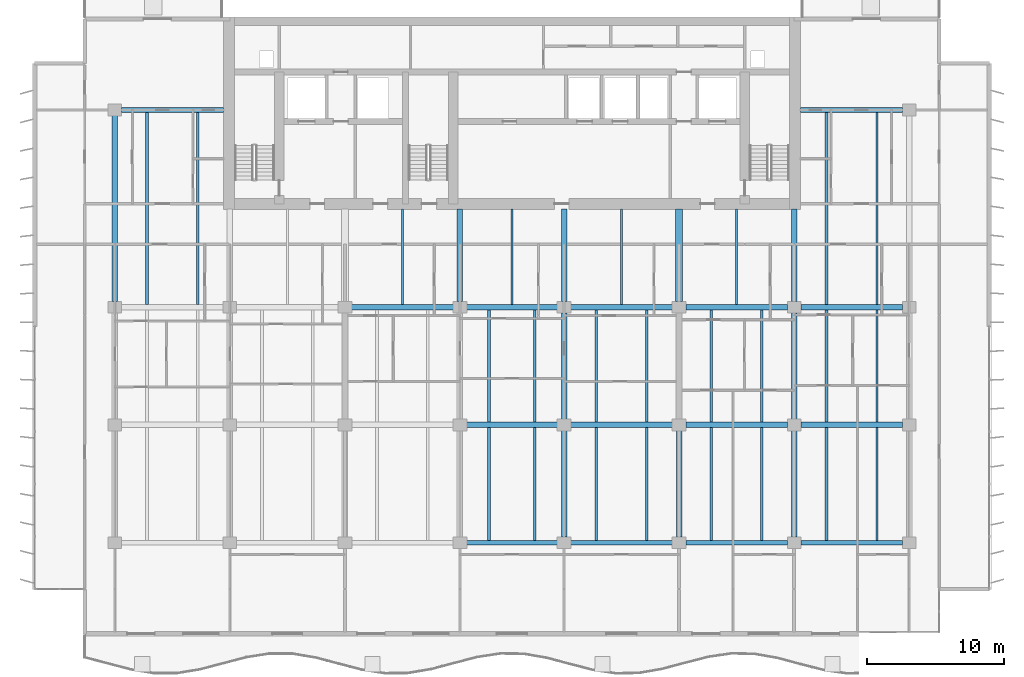
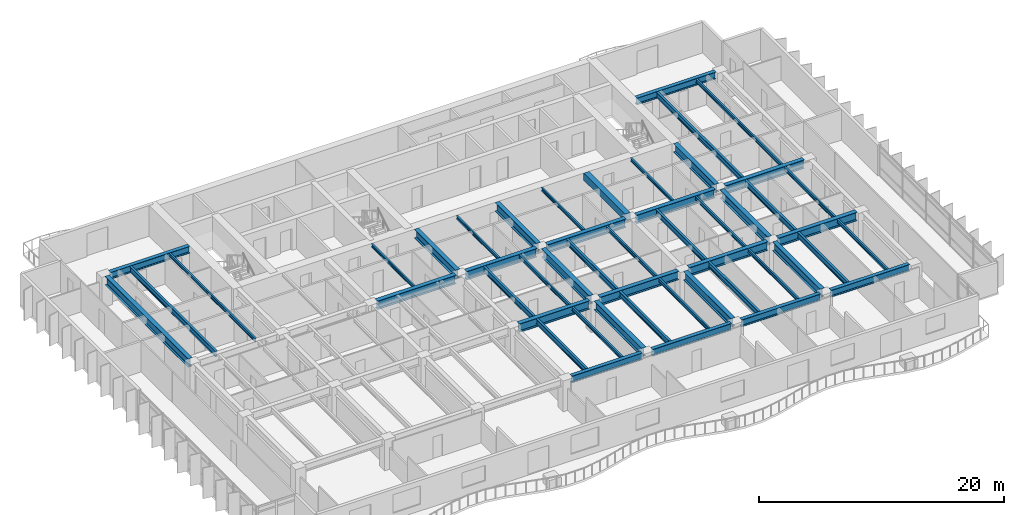
# One storey, part 3 of 15: 49 beams.
"""IFC4 building model written with IfcOpenShell, lengths in metres."""

from ifc_helpers import new_model, si_unit, direction, frame, origin, origin_2d, place, context, subcontext, project, spatial, rectangle, i_section, extrude, material, material_profile, profile_set, type_object, element, save


model = new_model("IFC4")

# Units and contexts
model_context = context("Model", 3, precision=1e-05, world=origin(), true_north=direction((0.0, 1.0)))
body_context = subcontext(model_context, "Body", "Model", "MODEL_VIEW")
ifc_project = project(units=[si_unit("LENGTHUNIT", "METRE"), si_unit("AREAUNIT", "SQUARE_METRE"), si_unit("VOLUMEUNIT", "CUBIC_METRE"), si_unit("PLANEANGLEUNIT", "RADIAN"), si_unit("MASSUNIT", "GRAM", prefix="KILO")], contexts=[model_context])

# Site, building, storey
site_placement = place(None, origin())
site = spatial("IfcSite", under=ifc_project, at=site_placement, CompositionType="ELEMENT")
building_placement = place(site_placement, origin())
building = spatial("IfcBuilding", under=site, at=building_placement, Name="Caelmar Bay Residences", CompositionType="ELEMENT")
storey_placement = place(building_placement, frame((0.0, 0.0, 138.89990234375)))
storey = spatial("IfcBuildingStorey", under=building, at=storey_placement, Name="L38", CompositionType="ELEMENT", Elevation=138.89990234375)

# Beams
ifc_material_1 = material(Name="Steel ASTM A992 Grade 50", Category="steel")
ifc_material_profile_1 = material_profile(ifc_material_1, i_section(OverallWidth=0.40087890625, OverallDepth=0.861083984375, WebThickness=0.019775390625, FlangeThickness=0.032470703125, FilletRadius=0.017822265625, at=origin_2d()), Name="W33X221")
ifc_profile_set_1 = profile_set([ifc_material_profile_1], Name="Steel ASTM A992 Grade 50")
beam_type_1 = type_object("IfcBeamType", Name="BM-GRD-W33X221", PredefinedType="BEAM", material=ifc_profile_set_1)
beam_1_placement = place(storey_placement, frame((35.590087890625, 20.800048828125, 2.61962890625), z_axis=(1.0, 0.0, 0.0), x_axis=(0.0, 1.0, 0.0)))
element("IfcBeam", 1, at=beam_1_placement, inside=storey, type_object=beam_type_1, Name="L38 East-West Girder Y=20.80 (35.1-42.7)", PredefinedType="BEAM", context=body_context, shape_type="SweptSolid", body=[
    extrude(i_section(OverallWidth=0.40087890625, OverallDepth=0.861083984375, WebThickness=0.019775390625, FlangeThickness=0.032470703125, FilletRadius=0.017822265625, at=origin_2d()), origin(), (0.0, 0.0, 1.0), 6.619873046875),
])
beam_2_placement = place(storey_placement, frame((43.18994140625, 20.800048828125, 2.61962890625), z_axis=(1.0, 0.0, 0.0), x_axis=(0.0, 1.0, 0.0)))
element("IfcBeam", 2, at=beam_2_placement, inside=storey, type_object=beam_type_1, Name="L38 East-West Girder Y=20.80 (42.7-51.1)", PredefinedType="BEAM", context=body_context, shape_type="SweptSolid", body=[
    extrude(i_section(OverallWidth=0.40087890625, OverallDepth=0.861083984375, WebThickness=0.019775390625, FlangeThickness=0.032470703125, FilletRadius=0.017822265625, at=origin_2d()), origin(), (0.0, 0.0, 1.0), 7.420166015625),
])
for number, where, z_axis, x_axis, name in (
    (3, (51.590087890625, 20.800048828125, 2.61962890625), (1.0, 0.0, 0.0), (0.0, 1.0, 0.0), "L38 East-West Girder Y=20.80 (51.1-59.5)"),
    (4, (59.989990234375, 20.800048828125, 2.61962890625), (1.0, 0.0, 0.0), (0.0, 1.0, 0.0), "L38 East-West Girder Y=20.80 (59.5-67.9)"),
):
    element("IfcBeam", number, at=place(storey_placement, frame(where, z_axis=z_axis, x_axis=x_axis)), inside=storey, type_object=beam_type_1, Name=name, PredefinedType="BEAM", context=body_context, shape_type="SweptSolid", body=[
        extrude(i_section(OverallWidth=0.40087890625, OverallDepth=0.861083984375, WebThickness=0.019775390625, FlangeThickness=0.032470703125, FilletRadius=0.017822265625, at=origin_2d()), origin(), (0.0, 0.0, 1.0), 7.419921875),
    ])
beam_3_placement = place(storey_placement, frame((27.18994140625, 29.39990234375, 2.61962890625), z_axis=(1.0, 0.0, 0.0), x_axis=(0.0, 1.0, 0.0)))
element("IfcBeam", 5, at=beam_3_placement, inside=storey, type_object=beam_type_1, Name="L38 East-West Girder Y=29.40 (26.7-35.1)", PredefinedType="BEAM", context=body_context, shape_type="SweptSolid", body=[
    extrude(i_section(OverallWidth=0.40087890625, OverallDepth=0.861083984375, WebThickness=0.019775390625, FlangeThickness=0.032470703125, FilletRadius=0.017822265625, at=origin_2d()), origin(), (0.0, 0.0, 1.0), 7.420166015625),
])
beam_4_placement = place(storey_placement, frame((35.590087890625, 29.39990234375, 2.61962890625), z_axis=(1.0, 0.0, 0.0), x_axis=(0.0, 1.0, 0.0)))
element("IfcBeam", 6, at=beam_4_placement, inside=storey, type_object=beam_type_1, Name="L38 East-West Girder Y=29.40 (35.1-42.7)", PredefinedType="BEAM", context=body_context, shape_type="SweptSolid", body=[
    extrude(i_section(OverallWidth=0.40087890625, OverallDepth=0.861083984375, WebThickness=0.019775390625, FlangeThickness=0.032470703125, FilletRadius=0.017822265625, at=origin_2d()), origin(), (0.0, 0.0, 1.0), 6.619873046875),
])
beam_5_placement = place(storey_placement, frame((43.18994140625, 29.39990234375, 2.61962890625), z_axis=(1.0, 0.0, 0.0), x_axis=(0.0, 1.0, 0.0)))
element("IfcBeam", 7, at=beam_5_placement, inside=storey, type_object=beam_type_1, Name="L38 East-West Girder Y=29.40 (42.7-51.1)", PredefinedType="BEAM", context=body_context, shape_type="SweptSolid", body=[
    extrude(i_section(OverallWidth=0.40087890625, OverallDepth=0.861083984375, WebThickness=0.019775390625, FlangeThickness=0.032470703125, FilletRadius=0.017822265625, at=origin_2d()), origin(), (0.0, 0.0, 1.0), 7.420166015625),
])
for number, where, z_axis, x_axis, name in (
    (8, (51.590087890625, 29.39990234375, 2.61962890625), (1.0, 0.0, 0.0), (0.0, 1.0, 0.0), "L38 East-West Girder Y=29.40 (51.1-59.5)"),
    (9, (59.989990234375, 29.39990234375, 2.61962890625), (1.0, 0.0, 0.0), (0.0, 1.0, 0.0), "L38 East-West Girder Y=29.40 (59.5-67.9)"),
):
    element("IfcBeam", number, at=place(storey_placement, frame(where, z_axis=z_axis, x_axis=x_axis)), inside=storey, type_object=beam_type_1, Name=name, PredefinedType="BEAM", context=body_context, shape_type="SweptSolid", body=[
        extrude(i_section(OverallWidth=0.40087890625, OverallDepth=0.861083984375, WebThickness=0.019775390625, FlangeThickness=0.032470703125, FilletRadius=0.017822265625, at=origin_2d()), origin(), (0.0, 0.0, 1.0), 7.419921875),
    ])
beam_6_placement = place(storey_placement, frame((9.89990234375, 29.81494140625, 2.61962890625), z_axis=(0.0, 1.0, 0.0), x_axis=(-1.0, 0.0, 0.0)))
element("IfcBeam", 10, at=beam_6_placement, inside=storey, type_object=beam_type_1, Name="L38 North-South Girder X=9.90 (29.4-43.8)", PredefinedType="BEAM", context=body_context, shape_type="SweptSolid", body=[
    extrude(i_section(OverallWidth=0.40087890625, OverallDepth=0.861083984375, WebThickness=0.019775390625, FlangeThickness=0.032470703125, FilletRadius=0.017822265625, at=origin_2d()), origin(), (0.0, 0.0, 1.0), 13.570068359375),
])
for number, where, z_axis, x_axis, name in (
    (11, (35.10009765625, 29.81494140625, 2.61962890625), (0.0, 1.0, 0.0), (-1.0, 0.0, 0.0), "L38 Core Tie Girder X=35.10"),
    (12, (42.699951171875, 29.81494140625, 2.61962890625), (0.0, 1.0, 0.0), (-1.0, 0.0, 0.0), "L38 Core Tie Girder X=42.70"),
):
    element("IfcBeam", number, at=place(storey_placement, frame(where, z_axis=z_axis, x_axis=x_axis)), inside=storey, type_object=beam_type_1, Name=name, PredefinedType="BEAM", context=body_context, shape_type="SweptSolid", body=[
        extrude(i_section(OverallWidth=0.40087890625, OverallDepth=0.861083984375, WebThickness=0.019775390625, FlangeThickness=0.032470703125, FilletRadius=0.017822265625, at=origin_2d()), origin(), (0.0, 0.0, 1.0), 6.735107421875),
    ])
for number, where, z_axis, x_axis, name in (
    (13, (42.699951171875, 12.614990234375, 2.61962890625), (0.0, 1.0, 0.0), (-1.0, 0.0, 0.0), "L38 North-South Girder X=42.70 (12.2-20.8)"),
    (14, (42.699951171875, 21.215087890625, 2.61962890625), (0.0, 1.0, 0.0), (-1.0, 0.0, 0.0), "L38 North-South Girder X=42.70 (20.8-29.4)"),
    (15, (51.10009765625, 12.614990234375, 2.61962890625), (0.0, 1.0, 0.0), (-1.0, 0.0, 0.0), "L38 North-South Girder X=51.10 (12.2-20.8)"),
):
    element("IfcBeam", number, at=place(storey_placement, frame(where, z_axis=z_axis, x_axis=x_axis)), inside=storey, type_object=beam_type_1, Name=name, PredefinedType="BEAM", context=body_context, shape_type="SweptSolid", body=[
        extrude(i_section(OverallWidth=0.40087890625, OverallDepth=0.861083984375, WebThickness=0.019775390625, FlangeThickness=0.032470703125, FilletRadius=0.017822265625, at=origin_2d()), origin(), (0.0, 0.0, 1.0), 7.77001953125),
    ])
beam_7_placement = place(storey_placement, frame((59.5, 29.81494140625, 2.61962890625), z_axis=(0.0, 1.0, 0.0), x_axis=(-1.0, 0.0, 0.0)))
element("IfcBeam", 16, at=beam_7_placement, inside=storey, type_object=beam_type_1, Name="L38 Core Tie Girder X=59.50", PredefinedType="BEAM", context=body_context, shape_type="SweptSolid", body=[
    extrude(i_section(OverallWidth=0.40087890625, OverallDepth=0.861083984375, WebThickness=0.019775390625, FlangeThickness=0.032470703125, FilletRadius=0.017822265625, at=origin_2d()), origin(), (0.0, 0.0, 1.0), 6.735107421875),
])
for number, where, z_axis, x_axis, name in (
    (17, (59.5, 12.614990234375, 2.61962890625), (0.0, 1.0, 0.0), (-1.0, 0.0, 0.0), "L38 North-South Girder X=59.50 (12.2-20.8)"),
    (18, (59.5, 21.215087890625, 2.61962890625), (0.0, 1.0, 0.0), (-1.0, 0.0, 0.0), "L38 North-South Girder X=59.50 (20.8-29.4)"),
):
    element("IfcBeam", number, at=place(storey_placement, frame(where, z_axis=z_axis, x_axis=x_axis)), inside=storey, type_object=beam_type_1, Name=name, PredefinedType="BEAM", context=body_context, shape_type="SweptSolid", body=[
        extrude(i_section(OverallWidth=0.40087890625, OverallDepth=0.861083984375, WebThickness=0.019775390625, FlangeThickness=0.032470703125, FilletRadius=0.017822265625, at=origin_2d()), origin(), (0.0, 0.0, 1.0), 7.77001953125),
    ])
ifc_material_profile_2 = material_profile(ifc_material_1, i_section(OverallWidth=0.1650390625, OverallDepth=0.31005859375, WebThickness=0.005859375, FlangeThickness=0.009765625, FilletRadius=0.007568359375, at=origin_2d()), Name="W12X26")
ifc_profile_set_2 = profile_set([ifc_material_profile_2], Name="Steel ASTM A992 Grade 50")
beam_type_2 = type_object("IfcBeamType", Name="BM-JST-W12X26", PredefinedType="JOIST", material=ifc_profile_set_2)
for number, where, z_axis, x_axis, name in (
    (19, (30.89990234375, 29.6005859375, 2.89501953125), (0.0, 1.0, 0.0), (-1.0, 0.0, 0.0), "L38 Core-Band Composite Joist 30"),
    (20, (38.89990234375, 29.6005859375, 2.89501953125), (0.0, 1.0, 0.0), (-1.0, 0.0, 0.0), "L38 Core-Band Composite Joist 31"),
    (21, (46.89990234375, 29.6005859375, 2.89501953125), (0.0, 1.0, 0.0), (-1.0, 0.0, 0.0), "L38 Core-Band Composite Joist 32"),
    (22, (55.300048828125, 29.6005859375, 2.89501953125), (0.0, 1.0, 0.0), (-1.0, 0.0, 0.0), "L38 Core-Band Composite Joist 33"),
):
    element("IfcBeam", number, at=place(storey_placement, frame(where, z_axis=z_axis, x_axis=x_axis)), inside=storey, type_object=beam_type_2, Name=name, PredefinedType="JOIST", context=body_context, shape_type="SweptSolid", body=[
        extrude(i_section(OverallWidth=0.1650390625, OverallDepth=0.31005859375, WebThickness=0.005859375, FlangeThickness=0.009765625, FilletRadius=0.007568359375, at=origin_2d()), origin(), (0.0, 0.0, 1.0), 6.949462890625),
    ])
ifc_material_profile_3 = material_profile(ifc_material_1, i_section(OverallWidth=0.1708984375, OverallDepth=0.35595703125, WebThickness=0.007080078125, FlangeThickness=0.01171875, FilletRadius=0.007568359375, at=origin_2d()), Name="W14X34")
ifc_profile_set_3 = profile_set([ifc_material_profile_3], Name="Steel ASTM A992 Grade 50")
beam_type_3 = type_object("IfcBeamType", Name="BM-JST-W14X34", PredefinedType="JOIST", material=ifc_profile_set_3)
for number, where, z_axis, x_axis, name in (
    (23, (40.572021484375, 12.3779296875, 2.8720703125), (0.0, 1.0, 0.0), (-1.0, 0.0, 0.0), "L38 Composite Floor Joist 8"),
    (24, (48.748046875, 12.3779296875, 2.8720703125), (0.0, 1.0, 0.0), (-1.0, 0.0, 0.0), "L38 Composite Floor Joist 10"),
    (25, (57.14794921875, 12.3779296875, 2.8720703125), (0.0, 1.0, 0.0), (-1.0, 0.0, 0.0), "L38 Composite Floor Joist 12"),
    (26, (65.548095703125, 12.3779296875, 2.8720703125), (0.0, 1.0, 0.0), (-1.0, 0.0, 0.0), "L38 Composite Floor Joist 14"),
):
    element("IfcBeam", number, at=place(storey_placement, frame(where, z_axis=z_axis, x_axis=x_axis)), inside=storey, type_object=beam_type_3, Name=name, PredefinedType="JOIST", context=body_context, shape_type="SweptSolid", body=[
        extrude(i_section(OverallWidth=0.1708984375, OverallDepth=0.35595703125, WebThickness=0.007080078125, FlangeThickness=0.01171875, FilletRadius=0.007568359375, at=origin_2d()), origin(), (0.0, 0.0, 1.0), 8.2216796875),
    ])
for number, where, z_axis, x_axis, name in (
    (27, (40.572021484375, 21.00048828125, 2.8720703125), (0.0, 1.0, 0.0), (-1.0, 0.0, 0.0), "L38 Composite Floor Joist 22"),
    (28, (48.748046875, 21.00048828125, 2.8720703125), (0.0, 1.0, 0.0), (-1.0, 0.0, 0.0), "L38 Composite Floor Joist 24"),
    (29, (57.14794921875, 21.00048828125, 2.8720703125), (0.0, 1.0, 0.0), (-1.0, 0.0, 0.0), "L38 Composite Floor Joist 26"),
    (30, (65.548095703125, 21.00048828125, 2.8720703125), (0.0, 1.0, 0.0), (-1.0, 0.0, 0.0), "L38 Composite Floor Joist 28"),
):
    element("IfcBeam", number, at=place(storey_placement, frame(where, z_axis=z_axis, x_axis=x_axis)), inside=storey, type_object=beam_type_3, Name=name, PredefinedType="JOIST", context=body_context, shape_type="SweptSolid", body=[
        extrude(i_section(OverallWidth=0.1708984375, OverallDepth=0.35595703125, WebThickness=0.007080078125, FlangeThickness=0.01171875, FilletRadius=0.007568359375, at=origin_2d()), origin(), (0.0, 0.0, 1.0), 8.198974609375),
    ])
for number, where, z_axis, x_axis, name in (
    (31, (15.947998046875, 29.6005859375, 2.8720703125), (0.0, 1.0, 0.0), (-1.0, 0.0, 0.0), "L38 Composite Floor Joist 35"),
    (32, (65.548095703125, 29.6005859375, 2.8720703125), (0.0, 1.0, 0.0), (-1.0, 0.0, 0.0), "L38 Composite Floor Joist 37"),
):
    element("IfcBeam", number, at=place(storey_placement, frame(where, z_axis=z_axis, x_axis=x_axis)), inside=storey, type_object=beam_type_3, Name=name, PredefinedType="JOIST", context=body_context, shape_type="SweptSolid", body=[
        extrude(i_section(OverallWidth=0.1708984375, OverallDepth=0.35595703125, WebThickness=0.007080078125, FlangeThickness=0.01171875, FilletRadius=0.007568359375, at=origin_2d()), origin(), (0.0, 0.0, 1.0), 14.021484375),
    ])
ifc_material_profile_4 = material_profile(ifc_material_1, i_section(OverallWidth=0.214111328125, OverallDepth=0.549072265625, WebThickness=0.0146484375, FlangeThickness=0.023681640625, FilletRadius=0.0126953125, at=origin_2d()), Name="W21X93")
ifc_profile_set_4 = profile_set([ifc_material_profile_4], Name="Steel ASTM A992 Grade 50")
beam_type_4 = type_object("IfcBeamType", Name="BM-JST-W21X93", PredefinedType="JOIST", material=ifc_profile_set_4)
for number, where, z_axis, x_axis, name in (
    (33, (37.22802734375, 12.3779296875, 2.775634765625), (0.0, 1.0, 0.0), (-1.0, 0.0, 0.0), "L38 Composite Floor Joist 7"),
    (34, (45.052001953125, 12.3779296875, 2.775634765625), (0.0, 1.0, 0.0), (-1.0, 0.0, 0.0), "L38 Composite Floor Joist 9"),
    (35, (53.451904296875, 12.3779296875, 2.775634765625), (0.0, 1.0, 0.0), (-1.0, 0.0, 0.0), "L38 Composite Floor Joist 11"),
    (36, (61.85205078125, 12.3779296875, 2.775634765625), (0.0, 1.0, 0.0), (-1.0, 0.0, 0.0), "L38 Composite Floor Joist 13"),
):
    element("IfcBeam", number, at=place(storey_placement, frame(where, z_axis=z_axis, x_axis=x_axis)), inside=storey, type_object=beam_type_4, Name=name, PredefinedType="JOIST", context=body_context, shape_type="SweptSolid", body=[
        extrude(i_section(OverallWidth=0.214111328125, OverallDepth=0.549072265625, WebThickness=0.0146484375, FlangeThickness=0.023681640625, FilletRadius=0.0126953125, at=origin_2d()), origin(), (0.0, 0.0, 1.0), 8.2216796875),
    ])
for number, where, z_axis, x_axis, name in (
    (37, (37.22802734375, 21.00048828125, 2.775634765625), (0.0, 1.0, 0.0), (-1.0, 0.0, 0.0), "L38 Composite Floor Joist 21"),
    (38, (45.052001953125, 21.00048828125, 2.775634765625), (0.0, 1.0, 0.0), (-1.0, 0.0, 0.0), "L38 Composite Floor Joist 23"),
    (39, (53.451904296875, 21.00048828125, 2.775634765625), (0.0, 1.0, 0.0), (-1.0, 0.0, 0.0), "L38 Composite Floor Joist 25"),
    (40, (61.85205078125, 21.00048828125, 2.775634765625), (0.0, 1.0, 0.0), (-1.0, 0.0, 0.0), "L38 Composite Floor Joist 27"),
):
    element("IfcBeam", number, at=place(storey_placement, frame(where, z_axis=z_axis, x_axis=x_axis)), inside=storey, type_object=beam_type_4, Name=name, PredefinedType="JOIST", context=body_context, shape_type="SweptSolid", body=[
        extrude(i_section(OverallWidth=0.214111328125, OverallDepth=0.549072265625, WebThickness=0.0146484375, FlangeThickness=0.023681640625, FilletRadius=0.0126953125, at=origin_2d()), origin(), (0.0, 0.0, 1.0), 8.198974609375),
    ])
for number, where, z_axis, x_axis, name in (
    (41, (12.251953125, 29.6005859375, 2.775634765625), (0.0, 1.0, 0.0), (-1.0, 0.0, 0.0), "L38 Composite Floor Joist 34"),
    (42, (61.85205078125, 29.6005859375, 2.775634765625), (0.0, 1.0, 0.0), (-1.0, 0.0, 0.0), "L38 Composite Floor Joist 36"),
):
    element("IfcBeam", number, at=place(storey_placement, frame(where, z_axis=z_axis, x_axis=x_axis)), inside=storey, type_object=beam_type_4, Name=name, PredefinedType="JOIST", context=body_context, shape_type="SweptSolid", body=[
        extrude(i_section(OverallWidth=0.214111328125, OverallDepth=0.549072265625, WebThickness=0.0146484375, FlangeThickness=0.023681640625, FilletRadius=0.0126953125, at=origin_2d()), origin(), (0.0, 0.0, 1.0), 14.021484375),
    ])
ifc_material_2 = material(Name="Concrete f'c 55 MPa (8,000 psi)", Category="concrete")
ifc_material_profile_5 = material_profile(ifc_material_2, rectangle(XDim=0.5, YDim=0.699951171875, at=origin_2d()), Name="RC-BM-500X700")
ifc_profile_set_5 = profile_set([ifc_material_profile_5], Name="Concrete f'c 55 MPa (8,000 psi)")
beam_type_5 = type_object("IfcBeamType", Name="BM-RC-500X700", PredefinedType="LINTEL", material=ifc_profile_set_5)
beam_8_placement = place(storey_placement, frame((51.10009765625, 29.81494140625, 2.7001953125), z_axis=(0.0, 1.0, 0.0), x_axis=(-1.0, 0.0, 0.0)))
element("IfcBeam", 43, at=beam_8_placement, inside=storey, type_object=beam_type_5, Name="L38 Shear-Wall Corridor Coupling Lintel E8", PredefinedType="LINTEL", context=body_context, shape_type="SweptSolid", body=[
    extrude(rectangle(XDim=0.5, YDim=0.699951171875, at=origin_2d()), origin(), (0.0, 0.0, 1.0), 6.735107421875),
])
ifc_material_profile_6 = material_profile(ifc_material_1, i_section(OverallWidth=0.35595703125, OverallDepth=0.696044921875, WebThickness=0.015380859375, FlangeThickness=0.02490234375, FilletRadius=0.01513671875, at=origin_2d()), Name="W27X146")
ifc_profile_set_6 = profile_set([ifc_material_profile_6], Name="Steel ASTM A992 Grade 50")
beam_type_6 = type_object("IfcBeamType", Name="BM-SPN-W27X146", PredefinedType="SPANDREL", material=ifc_profile_set_6)
beam_9_placement = place(storey_placement, frame((35.590087890625, 12.199951171875, 2.7021484375), z_axis=(1.0, 0.0, 0.0), x_axis=(0.0, 1.0, 0.0)))
element("IfcBeam", 44, at=beam_9_placement, inside=storey, type_object=beam_type_6, Name="L38 East-West Girder Y=12.20 (35.1-42.7)", PredefinedType="SPANDREL", context=body_context, shape_type="SweptSolid", body=[
    extrude(i_section(OverallWidth=0.35595703125, OverallDepth=0.696044921875, WebThickness=0.015380859375, FlangeThickness=0.02490234375, FilletRadius=0.01513671875, at=origin_2d()), origin(), (0.0, 0.0, 1.0), 6.619873046875),
])
beam_10_placement = place(storey_placement, frame((43.18994140625, 12.199951171875, 2.7021484375), z_axis=(1.0, 0.0, 0.0), x_axis=(0.0, 1.0, 0.0)))
element("IfcBeam", 45, at=beam_10_placement, inside=storey, type_object=beam_type_6, Name="L38 East-West Girder Y=12.20 (42.7-51.1)", PredefinedType="SPANDREL", context=body_context, shape_type="SweptSolid", body=[
    extrude(i_section(OverallWidth=0.35595703125, OverallDepth=0.696044921875, WebThickness=0.015380859375, FlangeThickness=0.02490234375, FilletRadius=0.01513671875, at=origin_2d()), origin(), (0.0, 0.0, 1.0), 7.420166015625),
])
for number, where, z_axis, x_axis, name in (
    (46, (51.590087890625, 12.199951171875, 2.7021484375), (1.0, 0.0, 0.0), (0.0, 1.0, 0.0), "L38 East-West Girder Y=12.20 (51.1-59.5)"),
    (47, (59.989990234375, 12.199951171875, 2.7021484375), (1.0, 0.0, 0.0), (0.0, 1.0, 0.0), "L38 East-West Girder Y=12.20 (59.5-67.9)"),
):
    element("IfcBeam", number, at=place(storey_placement, frame(where, z_axis=z_axis, x_axis=x_axis)), inside=storey, type_object=beam_type_6, Name=name, PredefinedType="SPANDREL", context=body_context, shape_type="SweptSolid", body=[
        extrude(i_section(OverallWidth=0.35595703125, OverallDepth=0.696044921875, WebThickness=0.015380859375, FlangeThickness=0.02490234375, FilletRadius=0.01513671875, at=origin_2d()), origin(), (0.0, 0.0, 1.0), 7.419921875),
    ])
beam_11_placement = place(storey_placement, frame((10.389892578125, 43.800048828125, 2.7021484375), z_axis=(1.0, 0.0, 0.0), x_axis=(0.0, 1.0, 0.0)))
element("IfcBeam", 48, at=beam_11_placement, inside=storey, type_object=beam_type_6, Name="L38 North-West Wing Core Tie Girder", PredefinedType="SPANDREL", context=body_context, shape_type="SweptSolid", body=[
    extrude(i_section(OverallWidth=0.35595703125, OverallDepth=0.696044921875, WebThickness=0.015380859375, FlangeThickness=0.02490234375, FilletRadius=0.01513671875, at=origin_2d()), origin(), (0.0, 0.0, 1.0), 7.460205078125),
])
beam_12_placement = place(storey_placement, frame((59.949951171875, 43.800048828125, 2.7021484375), z_axis=(1.0, 0.0, 0.0), x_axis=(0.0, 1.0, 0.0)))
element("IfcBeam", 49, at=beam_12_placement, inside=storey, type_object=beam_type_6, Name="L38 North-East Wing Core Tie Girder", PredefinedType="SPANDREL", context=body_context, shape_type="SweptSolid", body=[
    extrude(i_section(OverallWidth=0.35595703125, OverallDepth=0.696044921875, WebThickness=0.015380859375, FlangeThickness=0.02490234375, FilletRadius=0.01513671875, at=origin_2d()), origin(), (0.0, 0.0, 1.0), 7.4599609375),
])

save(model, "model.ifc")
